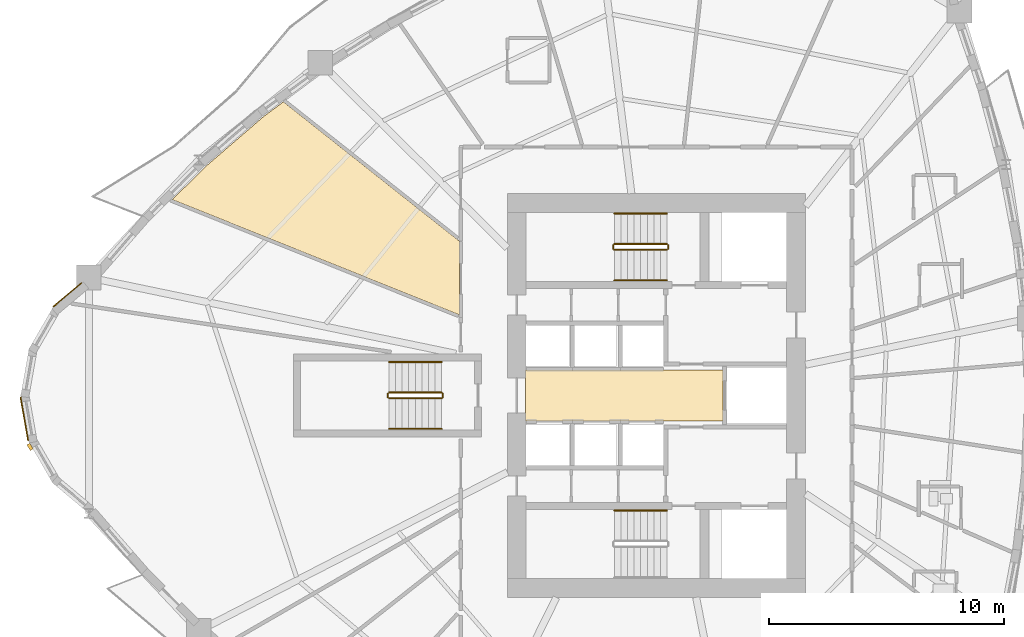
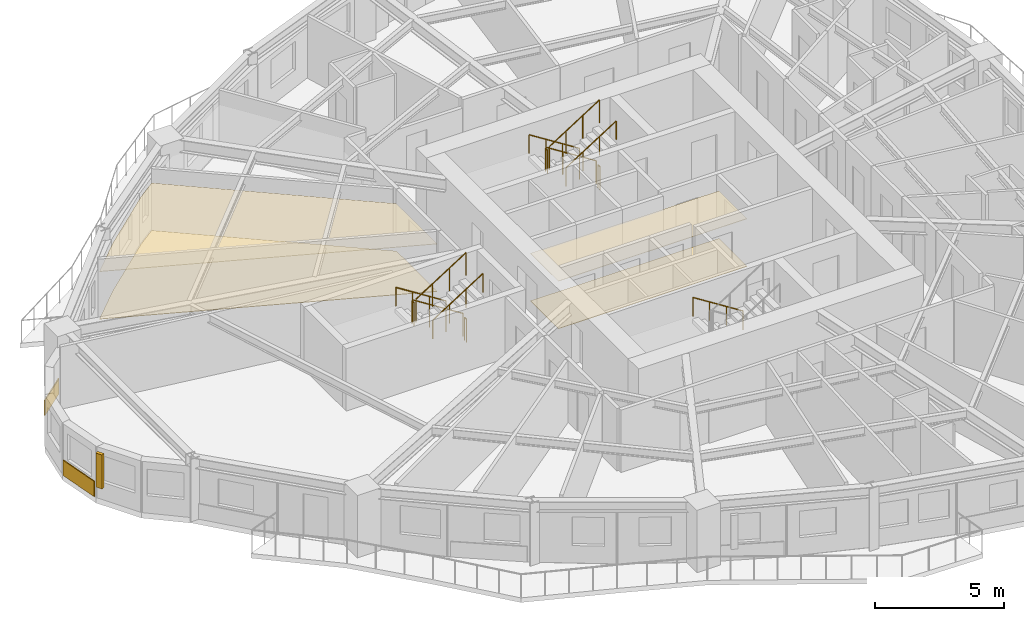
# One storey, part 11 of 13: 13 railings, 6 coverings, 1 shading device.
"""IFC4 building model written with IfcOpenShell, lengths in metres."""

from ifc_helpers import new_model, si_unit, direction, frame, origin, origin_2d, place, context, subcontext, project, spatial, polyline, rectangle, circle, outline, extrude, source, transform, mapped, material, layer, layer_set, type_object, element, save


model = new_model("IFC4")

# Units and contexts
model_context = context("Model", 3, precision=1e-05, world=origin(), true_north=direction((0.0, 1.0)))
body_context = subcontext(model_context, "Body", "Model", "MODEL_VIEW")
ifc_project = project(units=[si_unit("LENGTHUNIT", "METRE"), si_unit("AREAUNIT", "SQUARE_METRE"), si_unit("VOLUMEUNIT", "CUBIC_METRE"), si_unit("PLANEANGLEUNIT", "RADIAN"), si_unit("MASSUNIT", "GRAM", prefix="KILO")], contexts=[model_context])

# Site, building, storey
site_placement = place(None, origin())
site = spatial("IfcSite", under=ifc_project, at=site_placement, CompositionType="ELEMENT")
building_placement = place(site_placement, origin())
building = spatial("IfcBuilding", under=site, at=building_placement, Name="Qafzar Sky-Pleat Residences", CompositionType="ELEMENT")
storey_placement = place(building_placement, frame((0.0, 0.0, 59.0)))
storey = spatial("IfcBuildingStorey", under=building, at=storey_placement, Name="L17", CompositionType="ELEMENT", Elevation=59.0)

# Coverings
ifc_material_1 = material(Name="Perforated acoustic gypsum board ceiling")
ifc_layer_1 = layer(ifc_material_1, 0.02001953125)
ifc_layer_set_1 = layer_set([ifc_layer_1], Name="Perforated acoustic gypsum board ceiling")
covering_type_1 = type_object("IfcCoveringType", Name="COV-CEIL-ACOUSTIC", PredefinedType="CEILING", material=ifc_layer_set_1)
covering_1_placement = place(storey_placement, frame((0.0, 0.0, 2.239990234375)))
element("IfcCovering", 1, at=covering_1_placement, inside=storey, type_object=covering_type_1, Name="L17 Passenger Lift Lobby Acoustic Ceiling", PredefinedType="CEILING", context=body_context, shape_type="SweptSolid", body=[
    extrude(outline(polyline([(33.179931640625, 24.919921875), (24.77001953125, 24.919921875), (24.77001953125, 27.080078125), (33.179931640625, 27.080078125), (33.179931640625, 24.919921875)])), origin(), (0.0, 0.0, 1.0), 0.02001953125),
])
covering_2_placement = place(storey_placement, frame((0.0, 0.0, 2.239990234375)))
element("IfcCovering", 2, at=covering_2_placement, inside=storey, type_object=covering_type_1, Name="L17 Co-Living Lounge Acoustic Ceiling", PredefinedType="CEILING", context=body_context, shape_type="SweptSolid", body=[
    extrude(outline(polyline([(13.63330078125, 37.892333984375), (14.462646484375, 38.506103515625), (21.9599609375, 32.568115234375), (21.9599609375, 29.432861328125), (9.731689453125, 34.342041015625), (11.128173828125, 35.733154296875), (13.63330078125, 37.892333984375)])), origin(), (0.0, 0.0, 1.0), 0.02001953125),
])
ifc_material_2 = material(Name="Honed porcelain and Riyadh stone tile flooring", Category="masonry")
ifc_layer_2 = layer(ifc_material_2, 0.02001953125)
ifc_layer_set_2 = layer_set([ifc_layer_2], Name="Honed porcelain and Riyadh stone tile flooring")
covering_type_2 = type_object("IfcCoveringType", Name="COV-FLR-PORCELAIN", PredefinedType="FLOORING", material=ifc_layer_set_2)
covering_3_placement = place(storey_placement, origin())
element("IfcCovering", 3, at=covering_3_placement, inside=storey, type_object=covering_type_2, Name="L17 Passenger Lift Lobby Honed Stone Flooring", PredefinedType="FLOORING", context=body_context, shape_type="SweptSolid", body=[
    extrude(outline(polyline([(33.179931640625, 24.919921875), (24.77001953125, 24.919921875), (24.77001953125, 27.080078125), (33.179931640625, 27.080078125), (33.179931640625, 24.919921875)])), origin(), (0.0, 0.0, 1.0), 0.02001953125),
])
covering_4_placement = place(storey_placement, origin())
element("IfcCovering", 4, at=covering_4_placement, inside=storey, type_object=covering_type_2, Name="L17 Co-Living Lounge Honed Stone Flooring", PredefinedType="FLOORING", context=body_context, shape_type="SweptSolid", body=[
    extrude(outline(polyline([(13.63330078125, 37.892333984375), (14.462646484375, 38.506103515625), (21.9599609375, 32.568115234375), (21.9599609375, 29.432861328125), (9.731689453125, 34.342041015625), (11.128173828125, 35.733154296875), (13.63330078125, 37.892333984375)])), origin(), (0.0, 0.0, 1.0), 0.02001953125),
])
ifc_material_3 = material(Name="Honed Riyadh Tuwaiq limestone cladding", Category="masonry")
ifc_layer_3 = layer(ifc_material_3, 0.044921875)
ifc_layer_set_3 = layer_set([ifc_layer_3], Name="Honed Riyadh Tuwaiq limestone cladding")
covering_type_3 = type_object("IfcCoveringType", Name="COV-CLAD-STONE", PredefinedType="CLADDING", material=ifc_layer_set_3)
shared_shape_1 = source(origin(), body_context, "Body", "SweptSolid", [
    extrude(rectangle(XDim=1.5771484375, YDim=0.044921875, at=origin_2d()), origin(), (0.0, 0.0, 1.0), 0.719970703125),
])
covering_5_placement = place(storey_placement, frame((5.260009765625, 30.28369140625, 0.02001953125), z_axis=(0.0, 0.0, 1.0), x_axis=(-0.766074606481, -0.642751660678, 0.0)))
element("IfcCovering", 5, at=covering_5_placement, inside=storey, type_object=covering_type_3, Name="L17 Riyadh Limestone Spandrel Cladding 1", PredefinedType="CLADDING", context=body_context, shape_type="MappedRepresentation", body=[
    mapped(shared_shape_1, transform((0.0, 0.0, 0.0), x_axis=(1.0, 0.0, 0.0), y_axis=(0.0, 1.0, 0.0), z_axis=(0.0, 0.0, 1.0), scale=1.0)),
])

# Shading device
ifc_material_4 = material(Name="Honed Riyadh limestone solar fin", Category="masonry")
ifc_layer_4 = layer(ifc_material_4, 0.139892578125)
ifc_layer_set_4 = layer_set([ifc_layer_4], Name="Honed Riyadh limestone solar fin")
shading_device_type = type_object("IfcShadingDeviceType", Name="SHD-FIN-STONE", PredefinedType="SHUTTER", material=ifc_layer_set_4)
shared_shape_2 = source(origin(), body_context, "Body", "SweptSolid", [
    extrude(rectangle(XDim=0.139892578125, YDim=0.280029296875, at=origin_2d()), origin(), (0.0, 0.0, 1.0), 1.60009765625),
])
shading_device_placement = place(storey_placement, frame((3.669677734375, 23.80859375, 0.599853515625), z_axis=(0.0, 0.0, 1.0), x_axis=(-0.86604422228, -0.499967403994, 0.0)))
element("IfcShadingDevice", 6, at=shading_device_placement, inside=storey, type_object=shading_device_type, Name="L17 Limestone Solar Fin 5", PredefinedType="SHUTTER", context=body_context, shape_type="MappedRepresentation", body=[
    mapped(shared_shape_2, transform((0.0, 0.0, 0.0), x_axis=(1.0, 0.0, 0.0), y_axis=(0.0, 1.0, 0.0), z_axis=(0.0, 0.0, 1.0), scale=1.0)),
])

# Covering
shared_shape_3 = source(origin(), body_context, "Body", "SweptSolid", [
    extrude(rectangle(XDim=1.88134765625, YDim=0.044921875, at=origin_2d()), origin(), (0.0, 0.0, 1.0), 0.719970703125),
])
covering_6_placement = place(storey_placement, frame((3.42822265625, 25.00439453125, 0.02001953125), z_axis=(0.0, 0.0, 1.0), x_axis=(0.173662519465, -0.984805224059, 0.0)))
element("IfcCovering", 7, at=covering_6_placement, inside=storey, type_object=covering_type_3, Name="L17 Riyadh Limestone Spandrel Cladding 4", PredefinedType="CLADDING", context=body_context, shape_type="MappedRepresentation", body=[
    mapped(shared_shape_3, transform((0.0, 0.0, 0.0), x_axis=(1.0, 0.0, 0.0), y_axis=(0.0, 1.0, 0.0), z_axis=(0.0, 0.0, 1.0), scale=1.0)),
])

# Railings
ifc_material_5 = material(Name="Painted Steel S355 stair guardrail", Category="steel")
railing_type_1 = type_object("IfcRailingType", Name="RAIL-STAIR-GUARD", PredefinedType="GUARDRAIL", material=ifc_material_5)
shared_shape_4 = source(origin(), body_context, "Body", "SweptSolid", [
    extrude(circle(Radius=0.02392578125, at=origin_2d()), frame((0.0, 0.0, 1.076171875), z_axis=(0.0, -1.0, 0.0), x_axis=(1.0, 0.0, 0.0)), (0.0, 0.0, 1.0), 0.14990234375),
    extrude(circle(Radius=0.02099609375, at=origin_2d()), origin(), (0.0, 0.0, 1.0), 1.052001953125),
    extrude(circle(Radius=0.02099609375, at=origin_2d()), frame((0.0, -0.14990234375, 0.0)), (0.0, 0.0, 1.0), 1.052001953125),
])
for number, where, name in (
    (8, (28.510009765625, 32.39990234375, 1.60009765625), "L17 ST2 stair guard 2"),
    (9, (30.85009765625, 32.39990234375, 0.0), "L17 ST2 stair guard 4"),
    (10, (18.909912109375, 26.074951171875, 1.60009765625), "L17 ST3 stair guard 2"),
    (11, (21.25, 26.074951171875, 0.0), "L17 ST3 stair guard 4"),
):
    element("IfcRailing", number, at=place(storey_placement, frame(where)), inside=storey, type_object=railing_type_1, Name=name, PredefinedType="GUARDRAIL", context=body_context, shape_type="MappedRepresentation", body=[
        mapped(shared_shape_4, transform((0.0, 0.0, 0.0), x_axis=(1.0, 0.0, 0.0), y_axis=(0.0, 1.0, 0.0), z_axis=(0.0, 0.0, 1.0), scale=1.0)),
    ])
shared_shape_5 = source(origin(), body_context, "Body", "SweptSolid", [
    extrude(circle(Radius=0.02392578125, at=origin_2d()), frame((0.0, 0.0, 1.076171875), z_axis=(0.8442293374, 0.0, 0.53598211339), x_axis=(0.0, 1.0, 0.0)), (0.0, 0.0, 1.0), 2.6533203125),
    extrude(circle(Radius=0.02099609375, at=origin_2d()), origin(), (0.0, 0.0, 1.0), 1.052001953125),
    extrude(circle(Radius=0.02099609375, at=origin_2d()), frame((0.74658203125, 0.0, 0.47412109375)), (0.0, 0.0, 1.0), 1.052001953125),
    extrude(circle(Radius=0.02099609375, at=origin_2d()), frame((1.493408203125, 0.0, 0.947998046875)), (0.0, 0.0, 1.0), 1.052001953125),
    extrude(circle(Radius=0.02099609375, at=origin_2d()), frame((2.239990234375, 0.0, 1.422119140625)), (0.0, 0.0, 1.0), 1.052001953125),
])
for number, where, name in (
    (12, (28.56005859375, 32.199951171875, 1.77783203125), "L17 ST2 stair guard 3"),
    (13, (18.9599609375, 25.875, 1.77783203125), "L17 ST3 stair guard 3"),
):
    element("IfcRailing", number, at=place(storey_placement, frame(where)), inside=storey, type_object=railing_type_1, Name=name, PredefinedType="GUARDRAIL", context=body_context, shape_type="MappedRepresentation", body=[
        mapped(shared_shape_5, transform((0.0, 0.0, 0.0), x_axis=(1.0, 0.0, 0.0), y_axis=(0.0, 1.0, 0.0), z_axis=(0.0, 0.0, 1.0), scale=1.0)),
    ])
ifc_material_6 = material(Name="Brushed stainless steel handrail", Category="steel")
railing_type_2 = type_object("IfcRailingType", Name="RAIL-STAIR-HAND", PredefinedType="HANDRAIL", material=ifc_material_6)
shared_shape_6 = source(origin(), body_context, "Body", "SweptSolid", [
    extrude(circle(Radius=0.02392578125, at=origin_2d()), frame((0.0, 0.0, 0.8759765625), z_axis=(0.8442293374, 0.0, 0.53598211339), x_axis=(0.0, 1.0, 0.0)), (0.0, 0.0, 1.0), 2.6533203125),
    extrude(circle(Radius=0.02099609375, at=origin_2d()), origin(), (0.0, 0.0, 1.0), 0.851806640625),
    extrude(circle(Radius=0.02099609375, at=origin_2d()), frame((0.74658203125, 0.0, 0.47412109375)), (0.0, 0.0, 1.0), 0.851806640625),
    extrude(circle(Radius=0.02099609375, at=origin_2d()), frame((1.493408203125, 0.0, 0.947998046875)), (0.0, 0.0, 1.0), 0.851806640625),
    extrude(circle(Radius=0.02099609375, at=origin_2d()), frame((2.239990234375, 0.0, 1.422119140625)), (0.0, 0.0, 1.0), 0.851806640625),
])
for number, where, name in (
    (14, (28.56005859375, 30.89990234375, 1.77783203125), "L17 ST2 stair handrail 2"),
    (15, (18.9599609375, 24.574951171875, 1.77783203125), "L17 ST3 stair handrail 2"),
):
    element("IfcRailing", number, at=place(storey_placement, frame(where)), inside=storey, type_object=railing_type_2, Name=name, PredefinedType="HANDRAIL", context=body_context, shape_type="MappedRepresentation", body=[
        mapped(shared_shape_6, transform((0.0, 0.0, 0.0), x_axis=(1.0, 0.0, 0.0), y_axis=(0.0, 1.0, 0.0), z_axis=(0.0, 0.0, 1.0), scale=1.0)),
    ])
shared_shape_7 = source(origin(), body_context, "Body", "SweptSolid", [
    extrude(circle(Radius=0.02392578125, at=origin_2d()), frame((0.0, 0.0, 1.076171875), z_axis=(-0.84418770128, 0.0, 0.536047689118), x_axis=(0.0, -1.0, 0.0)), (0.0, 0.0, 1.0), 2.6533203125),
    extrude(circle(Radius=0.02099609375, at=origin_2d()), origin(), (0.0, 0.0, 1.0), 1.052001953125),
    extrude(circle(Radius=0.02099609375, at=origin_2d()), frame((-0.74658203125, 0.0, 0.47412109375)), (0.0, 0.0, 1.0), 1.052001953125),
    extrude(circle(Radius=0.02099609375, at=origin_2d()), frame((-1.493408203125, 0.0, 0.9482421875)), (0.0, 0.0, 1.0), 1.052001953125),
    extrude(circle(Radius=0.02099609375, at=origin_2d()), frame((-2.239990234375, 0.0, 1.42236328125)), (0.0, 0.0, 1.0), 1.052001953125),
])
for number, where, name in (
    (16, (30.800048828125, 32.449951171875, 0.177734375), "L17 ST2 stair guard 1"),
    (17, (21.199951171875, 26.125, 0.177734375), "L17 ST3 stair guard 1"),
):
    element("IfcRailing", number, at=place(storey_placement, frame(where)), inside=storey, type_object=railing_type_1, Name=name, PredefinedType="GUARDRAIL", context=body_context, shape_type="MappedRepresentation", body=[
        mapped(shared_shape_7, transform((0.0, 0.0, 0.0), x_axis=(1.0, 0.0, 0.0), y_axis=(0.0, 1.0, 0.0), z_axis=(0.0, 0.0, 1.0), scale=1.0)),
    ])
shared_shape_8 = source(origin(), body_context, "Body", "SweptSolid", [
    extrude(circle(Radius=0.02392578125, at=origin_2d()), frame((0.0, 0.0, 0.8759765625), z_axis=(-0.84418770128, 0.0, 0.536047689118), x_axis=(0.0, -1.0, 0.0)), (0.0, 0.0, 1.0), 2.6533203125),
    extrude(circle(Radius=0.02099609375, at=origin_2d()), origin(), (0.0, 0.0, 1.0), 0.851806640625),
    extrude(circle(Radius=0.02099609375, at=origin_2d()), frame((-0.74658203125, 0.0, 0.47412109375)), (0.0, 0.0, 1.0), 0.851806640625),
    extrude(circle(Radius=0.02099609375, at=origin_2d()), frame((-1.493408203125, 0.0, 0.9482421875)), (0.0, 0.0, 1.0), 0.851806640625),
    extrude(circle(Radius=0.02099609375, at=origin_2d()), frame((-2.239990234375, 0.0, 1.42236328125)), (0.0, 0.0, 1.0), 0.851806640625),
])
for number, where, name in (
    (18, (30.800048828125, 21.10009765625, 0.177734375), "L17 ST1 stair handrail 1"),
    (19, (30.800048828125, 33.75, 0.177734375), "L17 ST2 stair handrail 1"),
    (20, (21.199951171875, 27.425048828125, 0.177734375), "L17 ST3 stair handrail 1"),
):
    element("IfcRailing", number, at=place(storey_placement, frame(where)), inside=storey, type_object=railing_type_2, Name=name, PredefinedType="HANDRAIL", context=body_context, shape_type="MappedRepresentation", body=[
        mapped(shared_shape_8, transform((0.0, 0.0, 0.0), x_axis=(1.0, 0.0, 0.0), y_axis=(0.0, 1.0, 0.0), z_axis=(0.0, 0.0, 1.0), scale=1.0)),
    ])

save(model, "model.ifc")
